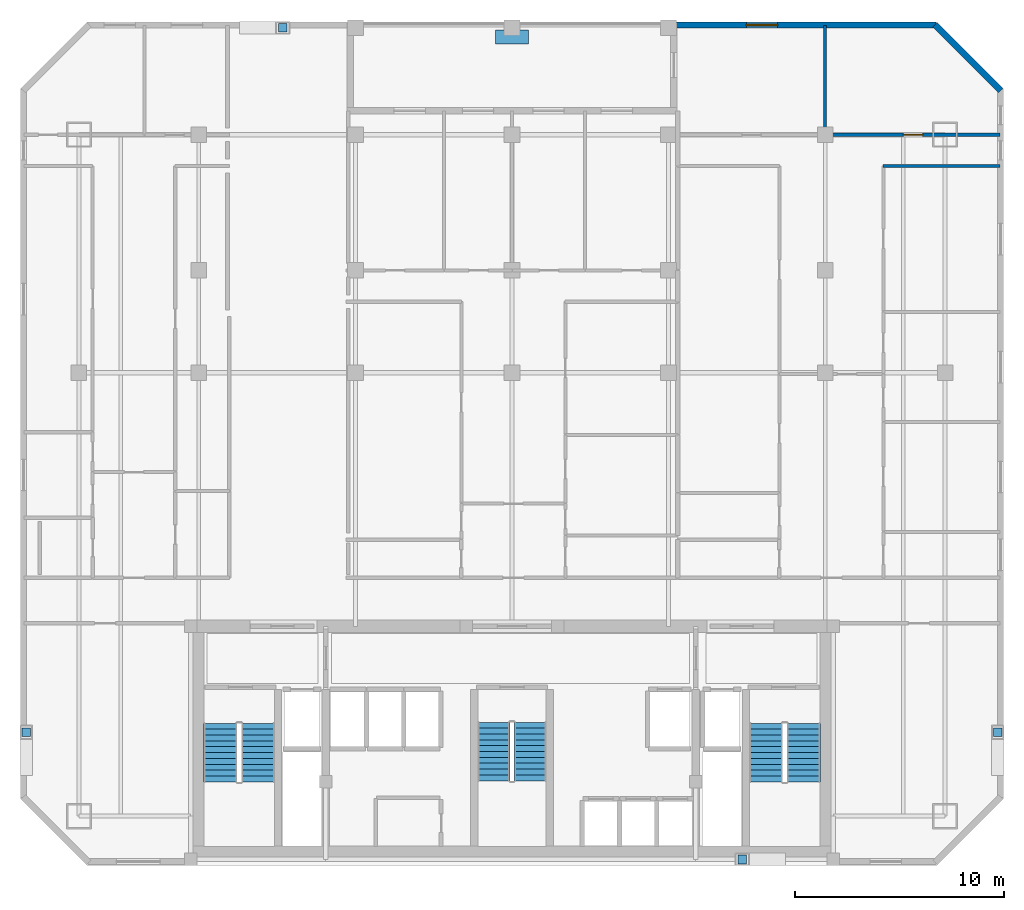
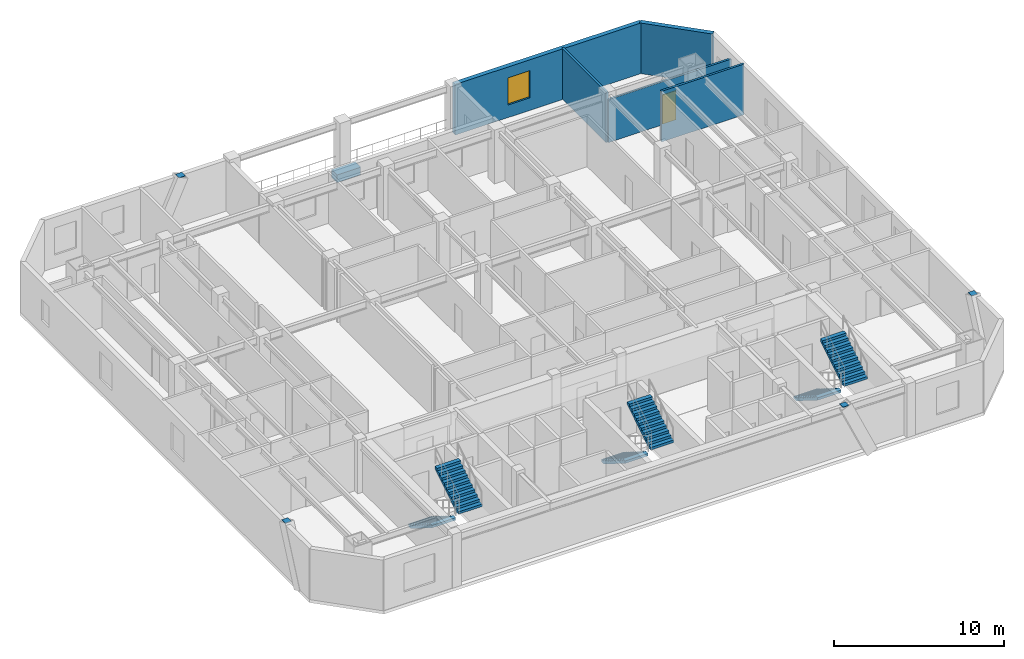
# One storey, part 7 of 8: 6 stair flights, 5 discrete accessories, 5 walls, 1 door, 1 window, 2 openings, 3 elements without a shape of their own.
"""IFC4 building model written with IfcOpenShell, lengths in metres."""

import ifcopenshell
import ifcopenshell.guid

model = None  # the IFC model being written
_history = None  # IfcOwnerHistory: only IFC2X3 demands one
_inside = {}  # id of a spatial element -> (the spatial element, [elements in it])
_under = {}  # id of a project, library or spatial element -> (it, [spatial elements below it])
_declared = {}  # id of a project -> (the project, [libraries it declares])
_typed = {}  # id of a type object -> (the type object, [elements of that type])
_made_of = {}  # id of a material, layer set ... -> (it, [elements and type objects made of it])


def new_model(schema):
    """Start an empty IFC model of exactly this schema.

    Asked for "IFC4X3", IfcOpenShell would pick the latest addendum, in which some entities
    have other attributes; the version numbers below select the first issue.
    IFC2X3 requires an IfcOwnerHistory on every rooted entity: one is made here for all.
    """
    global model, _history
    if schema == "IFC4X3":
        model = ifcopenshell.file(schema_version=(4, 3, 0, 0))
    else:
        model = ifcopenshell.file(schema=schema)
    _inside.clear()
    _under.clear()
    _declared.clear()
    _typed.clear()
    _made_of.clear()
    _history = None
    if model.schema == "IFC2X3":
        org = make("IfcOrganization", Name="unknown")
        user = make(
            "IfcPersonAndOrganization",
            ThePerson=make("IfcPerson", FamilyName="unknown"),
            TheOrganization=org,
        )
        app = make(
            "IfcApplication",
            ApplicationDeveloper=org,
            Version="unknown",
            ApplicationFullName="unknown",
            ApplicationIdentifier="unknown",
        )
        _history = make(
            "IfcOwnerHistory",
            OwningUser=user,
            OwningApplication=app,
            ChangeAction="ADDED",
            CreationDate=0,
        )
    return model


def make(cls, **values):
    """One entity of the class cls with the attributes given. An attribute that is None is left unset."""
    return model.create_entity(
        cls, **{name: value for name, value in values.items() if value is not None}
    )


def rooted(cls, **values):
    """An entity with a GlobalId (a new one), such as an element, a storey or a relation."""
    return make(cls, GlobalId=ifcopenshell.guid.new(), OwnerHistory=_history, **values)


def si_unit(unit_type, name, prefix=None):
    """IfcSIUnit, for example si_unit("LENGTHUNIT", "METRE", prefix="MILLI")."""
    return make("IfcSIUnit", UnitType=unit_type, Prefix=prefix, Name=name)


def assignment(units):
    """IfcUnitAssignment: the units of a project."""
    return None if units is None else make("IfcUnitAssignment", Units=units)


def point(xyz):
    """IfcCartesianPoint."""
    return None if xyz is None else make("IfcCartesianPoint", Coordinates=xyz)


def direction(xyz):
    """IfcDirection."""
    return None if xyz is None else make("IfcDirection", DirectionRatios=xyz)


def frame(location, z_axis=None, x_axis=None):
    """IfcAxis2Placement3D, a coordinate frame: its origin and axes. An axis left out is left unset."""
    return make(
        "IfcAxis2Placement3D",
        Location=point(location),
        Axis=direction(z_axis),
        RefDirection=direction(x_axis),
    )


def frame_2d(location, x_axis=None):
    """IfcAxis2Placement2D, a coordinate frame in the plane: its origin and x axis."""
    return make(
        "IfcAxis2Placement2D", Location=point(location), RefDirection=direction(x_axis)
    )


def origin():
    """The frame at (0, 0, 0) with its axes left unset."""
    return frame((0.0, 0.0, 0.0))


def origin_2d():
    """The frame at (0, 0) in the plane with its x axis left unset."""
    return frame_2d((0.0, 0.0))


def place(relative_to, where):
    """IfcLocalPlacement: puts the frame where relative to a parent placement (None: the world)."""
    return make(
        "IfcLocalPlacement", PlacementRelTo=relative_to, RelativePlacement=where
    )


def context(
    kind, dimensions, precision=None, world=None, true_north=None, identifier=None
):
    """IfcGeometricRepresentationContext, for example the 3D "Model" context."""
    return make(
        "IfcGeometricRepresentationContext",
        ContextIdentifier=identifier,
        ContextType=kind,
        CoordinateSpaceDimension=dimensions,
        Precision=precision,
        WorldCoordinateSystem=world,
        TrueNorth=true_north,
    )


def subcontext(parent, identifier, kind, view, scale=None):
    """IfcGeometricRepresentationSubContext, for example "Body" below "Model"."""
    return make(
        "IfcGeometricRepresentationSubContext",
        ContextIdentifier=identifier,
        ContextType=kind,
        ParentContext=parent,
        TargetScale=scale,
        TargetView=view,
    )


def project(units=None, contexts=None):
    """IfcProject with its units and contexts."""
    return rooted(
        "IfcProject",
        Name="project",
        RepresentationContexts=contexts,
        UnitsInContext=assignment(units),
    )


def spatial(cls, under=None, at=None, **own):
    """A site, building, storey or space (cls), placed at a placement, below another one or the project."""
    s = rooted(cls, ObjectPlacement=at, **own)
    if under is not None:
        _under.setdefault(under.id(), (under, []))[1].append(s)
    return s


def polyline(points):
    """IfcPolyline through the points."""
    return make("IfcPolyline", Points=[point(p) for p in points])


def profile(cls, at=None, kind="AREA", **sizes):
    """A parametric profile (cls). Its sizes go by their IFC names, for example OverallWidth=200.0."""
    return make(cls, ProfileType=kind, Position=at, **sizes)


def rectangle(**sizes):
    """IfcRectangleProfileDef."""
    return profile("IfcRectangleProfileDef", **sizes)


def outline(outer, holes=None, kind="AREA"):
    """IfcArbitraryClosedProfileDef: a profile drawn as a closed curve; with holes, ...WithVoids."""
    if holes is None:
        return make("IfcArbitraryClosedProfileDef", ProfileType=kind, OuterCurve=outer)
    return make(
        "IfcArbitraryProfileDefWithVoids",
        ProfileType=kind,
        OuterCurve=outer,
        InnerCurves=holes,
    )


def extrude(swept, where, along, depth):
    """IfcExtrudedAreaSolid: the profile swept, set in the frame where, extruded along a direction by depth."""
    return make(
        "IfcExtrudedAreaSolid",
        SweptArea=swept,
        Position=where,
        ExtrudedDirection=direction(along),
        Depth=depth,
    )


def shape(context_of_items, identifier, shape_type, items):
    """IfcShapeRepresentation: the items that make up one representation, for example the "Body"."""
    return make(
        "IfcShapeRepresentation",
        ContextOfItems=context_of_items,
        RepresentationIdentifier=identifier,
        RepresentationType=shape_type,
        Items=items,
    )


def material(Name=None, Category=None):
    """IfcMaterial."""
    return make("IfcMaterial", Name=Name, Category=Category)


def layer(
    of_material, thickness, ventilated=None, Name=None, Category=None, Priority=None
):
    """IfcMaterialLayer: one layer of a wall or slab, of a material (None: an air gap)."""
    return make(
        "IfcMaterialLayer",
        Material=of_material,
        LayerThickness=thickness,
        IsVentilated=ventilated,
        Name=Name,
        Category=Category,
        Priority=Priority,
    )


def layer_set(layers, Name=None):
    """IfcMaterialLayerSet."""
    return make("IfcMaterialLayerSet", MaterialLayers=layers, LayerSetName=Name)


def made_of(thing, what):
    """Note that an element or type object is made of a material, layer set ...; save() writes the relation."""
    if what is not None:
        _made_of.setdefault(what.id(), (what, []))[1].append(thing)
    return thing


def type_object(cls, material=None, **own):
    """A type object (cls), such as IfcWallType, which elements share."""
    return made_of(rooted(cls, **own), material)


def element(
    cls,
    number,
    at=None,
    inside=None,
    cuts=None,
    type_object=None,
    material=None,
    context=None,
    identifier="Body",
    shape_type=None,
    held_by="IfcProductDefinitionShape",
    body=None,
    shapes=None,
    **own,
):
    """One element of the class cls, such as IfcWall. Its Tag is "e" and its number.

    at: its placement. inside: the storey or other place that contains it. cuts: it is an
    opening in that element (IfcRelVoidsElement). A single representation is given by context,
    identifier, shape_type and body (its items); several are given by shapes. held_by: the class
    of the entity that holds the representations. save() writes the other relations.
    """
    e = rooted(cls, Tag="e%d" % number, ObjectPlacement=at, **own)
    if body is not None:
        shapes = [shape(context, identifier, shape_type, body)]
    if shapes is not None:
        e.Representation = make(held_by, Representations=shapes)
    if inside is not None:
        _inside.setdefault(inside.id(), (inside, []))[1].append(e)
    if cuts is not None:
        rooted(
            "IfcRelVoidsElement", RelatingBuildingElement=cuts, RelatedOpeningElement=e
        )
    if type_object is not None:
        _typed.setdefault(type_object.id(), (type_object, []))[1].append(e)
    return made_of(e, material)


def fill(opening, filler):
    """IfcRelFillsElement: the door or window that sits in an opening."""
    return rooted(
        "IfcRelFillsElement",
        RelatingOpeningElement=opening,
        RelatedBuildingElement=filler,
    )


def aggregate(whole, parts):
    """IfcRelAggregates: a whole, such as a stair, and the parts it consists of."""
    return rooted("IfcRelAggregates", RelatingObject=whole, RelatedObjects=parts)


def save(model, path):
    """Write the relations noted so far, then the file.

    IfcRelAggregates (storeys below a building ...), IfcRelContainedInSpatialStructure (elements
    in a storey), IfcRelDefinesByType, IfcRelAssociatesMaterial and IfcRelDeclares: one each for
    every whole, place, type object, material and project.
    """
    for whole, parts in _under.values():
        aggregate(whole, parts)
    for where, things in _inside.values():
        rooted(
            "IfcRelContainedInSpatialStructure",
            RelatedElements=things,
            RelatingStructure=where,
        )
    for kind, things in _typed.values():
        rooted("IfcRelDefinesByType", RelatedObjects=things, RelatingType=kind)
    for what, things in _made_of.values():
        rooted("IfcRelAssociatesMaterial", RelatedObjects=things, RelatingMaterial=what)
    for by, libraries in _declared.values():
        rooted("IfcRelDeclares", RelatingContext=by, RelatedDefinitions=libraries)
    model.write(path)


model = new_model("IFC4")

# Units and contexts
model_context = context("Model", 3, precision=1e-05, world=origin(), true_north=direction((0.0, 1.0)))
body_context = subcontext(model_context, "Body", "Model", "MODEL_VIEW")
ifc_project = project(units=[si_unit("LENGTHUNIT", "METRE"), si_unit("AREAUNIT", "SQUARE_METRE"), si_unit("VOLUMEUNIT", "CUBIC_METRE"), si_unit("PLANEANGLEUNIT", "RADIAN"), si_unit("MASSUNIT", "GRAM", prefix="KILO")], contexts=[model_context])

# Site, building, storey
site_placement = place(None, origin())
site = spatial("IfcSite", under=ifc_project, at=site_placement, CompositionType="ELEMENT")
building_placement = place(site_placement, origin())
building = spatial("IfcBuilding", under=site, at=building_placement, Name="Ventersveld Concourse Tower", CompositionType="ELEMENT")
storey_placement = place(building_placement, frame((0.0, 0.0, 192.60009765625)))
storey = spatial("IfcBuildingStorey", under=building, at=storey_placement, Name="L47", CompositionType="ELEMENT", Elevation=192.60009765625)

# Wall
ifc_material_1 = material(Name="Autoclaved aerated masonry blockwork", Category="masonry")
ifc_layer_1 = layer(ifc_material_1, 0.14990234375)
ifc_layer_set_1 = layer_set([ifc_layer_1], Name="Autoclaved aerated masonry blockwork")
wall_type_1 = type_object("IfcWallType", Name="WL-INT-150", PredefinedType="PARTITIONING", material=ifc_layer_set_1)
wall_1_placement = place(storey_placement, frame((46.53466796875, 33.5, 0.0), z_axis=(0.0, 0.0, 1.0), x_axis=(1.0, 0.0, 0.0)))
element("IfcWall", 1, at=wall_1_placement, inside=storey, type_object=wall_type_1, Name="L47 Interior Partition SP-L47-47CE-LIV-SP-L47-47CE-DENS2", PredefinedType="PARTITIONING", context=body_context, shape_type="SweptSolid", body=[
    extrude(rectangle(XDim=5.5927734375, YDim=0.14990234375, at=frame_2d((2.79638671875, 0.0))), origin(), (0.0, 0.0, 1.0), 3.6298828125),
])

# Wall, opening, door
wall_2_placement = place(storey_placement, frame((43.784912109375, 35.0, 0.0), z_axis=(0.0, 0.0, 1.0), x_axis=(1.0, 0.0, 0.0)))
wall_2 = element("IfcWall", 2, at=wall_2_placement, inside=storey, type_object=wall_type_1, Name="L47 Interior Partition SP-L47-47CE-LIV-SP-L47-47CE-BR2", PredefinedType="PARTITIONING", context=body_context, shape_type="SweptSolid", body=[
    extrude(rectangle(XDim=8.342529296875, YDim=0.14990234375, at=frame_2d((4.17138671875, 0.0))), origin(), (0.0, 0.0, 1.0), 3.08544921875),
])
opening_1_placement = place(wall_2_placement, frame((3.711181640625, 0.0, 0.0)))
opening_1 = element("IfcOpeningElement", 3, at=opening_1_placement, cuts=wall_2, Name="Opening ID1", PredefinedType="OPENING", context=body_context, shape_type="SweptSolid", body=[
    extrude(rectangle(XDim=0.919921875, YDim=2.10009765625, at=frame_2d((0.4599609375, 1.050048828125))), frame((0.0, 0.0849609375, 0.0), z_axis=(0.0, -1.0, 0.0), x_axis=(1.0, 0.0, 0.0)), (0.0, 0.0, 1.0), 0.169921875),
])
ifc_material_2 = material(Name="Solid-core hardwood veneer timber", Category="wood")
door_type = type_object("IfcDoorType", Name="DR-ROOM-092", OperationType="NOTDEFINED", PredefinedType="DOOR", material=ifc_material_2)
door_placement = place(opening_1_placement, origin())
door = element("IfcDoor", 4, at=door_placement, inside=storey, type_object=door_type, Name="L47 Interior Door SP-L47-47CE-LIV to SP-L47-47CE-BR2 (D-L47-2321)", OperationType="SINGLE_SWING_LEFT", OverallHeight=2.10009765625, OverallWidth=0.919921875, PredefinedType="DOOR", context=body_context, shape_type="SweptSolid", body=[
    extrude(rectangle(XDim=0.919921875, YDim=2.10009765625, at=frame_2d((0.4599609375, 1.050048828125))), frame((0.0, 0.02490234375, 0.0), z_axis=(0.0, -1.0, 0.0), x_axis=(1.0, 0.0, 0.0)), (0.0, 0.0, 1.0), 0.050048828125),
])
fill(opening_1, door)

# Walls
wall_3_placement = place(storey_placement, frame((43.75, 34.9951171875, 0.0), z_axis=(0.0, 0.0, 1.0), x_axis=(0.0, 1.0, 0.0)))
element("IfcWall", 5, at=wall_3_placement, inside=storey, type_object=wall_type_1, Name="L47 Interior Partition SP-L47-47CE-BR1-SP-L47-47CE-BR2", PredefinedType="PARTITIONING", context=body_context, shape_type="SweptSolid", body=[
    extrude(rectangle(XDim=5.232421875, YDim=0.14990234375, at=frame_2d((2.6162109375, 0.0))), origin(), (0.0, 0.0, 1.0), 3.6298828125),
])
ifc_material_3 = material(Name="Precast concrete C45/55", Category="concrete")
ifc_layer_2 = layer(ifc_material_3, 0.300048828125)
ifc_layer_set_2 = layer_set([ifc_layer_2], Name="Precast concrete C45/55")
wall_type_2 = type_object("IfcWallType", Name="WL-PREC-300", PredefinedType="SOLIDWALL", material=ifc_layer_set_2)
wall_4_placement = place(storey_placement, frame((52.16552734375, 37.122314453125, 0.0), z_axis=(0.0, 0.0, 1.0), x_axis=(-0.707106781187, 0.707106781187, 0.0)))
element("IfcWall", 6, at=wall_4_placement, inside=storey, type_object=wall_type_2, Name="L47 Highveld Precast Facade Wall E04", PredefinedType="SOLIDWALL", context=body_context, shape_type="SweptSolid", body=[
    extrude(rectangle(XDim=4.4453125, YDim=0.300048828125, at=frame_2d((2.22265625, 0.0))), origin(), (0.0, 0.0, 1.0), 3.6298828125),
])

# Wall, opening, window
wall_5_placement = place(storey_placement, frame((49.06005859375, 40.25, 0.0), z_axis=(0.0, 0.0, 1.0), x_axis=(-1.0, 0.0, 0.0)))
wall_5 = element("IfcWall", 7, at=wall_5_placement, inside=storey, type_object=wall_type_2, Name="L47 Highveld Precast Facade Wall E05", PredefinedType="SOLIDWALL", context=body_context, shape_type="SweptSolid", body=[
    extrude(rectangle(XDim=12.670166015625, YDim=0.300048828125, at=frame_2d((6.3349609375, 0.0))), origin(), (0.0, 0.0, 1.0), 3.6298828125),
])
opening_2_placement = place(wall_5_placement, frame((7.583740234375, 0.0, 0.89990234375)))
opening_2 = element("IfcOpeningElement", 8, at=opening_2_placement, cuts=wall_5, Name="Opening W1", PredefinedType="OPENING", context=body_context, shape_type="SweptSolid", body=[
    extrude(rectangle(XDim=1.5, YDim=1.949951171875, at=frame_2d((0.75, 0.97509765625))), frame((0.0, 0.16015625, 0.0), z_axis=(0.0, -1.0, 0.0), x_axis=(1.0, 0.0, 0.0)), (0.0, 0.0, 1.0), 0.320068359375),
])
ifc_material_4 = material(Name="Tempered acoustic Low-E IGU", Category="glass")
window_type = type_object("IfcWindowType", Name="WIN-150x210", PartitioningType="SINGLE_PANEL", PredefinedType="WINDOW", material=ifc_material_4)
window_placement = place(opening_2_placement, origin())
window = element("IfcWindow", 9, at=window_placement, inside=storey, type_object=window_type, Name="L47 Punched Low-E Window W-0663", OverallHeight=1.949951171875, OverallWidth=1.5, PartitioningType="SINGLE_PANEL", PredefinedType="WINDOW", context=body_context, shape_type="SweptSolid", body=[
    extrude(rectangle(XDim=1.5, YDim=1.949951171875, at=frame_2d((0.75, 0.97509765625))), frame((0.0, 0.030029296875, 0.0), z_axis=(0.0, -1.0, 0.0), x_axis=(1.0, 0.0, 0.0)), (0.0, 0.0, 1.0), 0.06005859375),
])
fill(opening_2, window)

# Stair, stair flights
ifc_material_5 = material(Name="Concrete C50/60", Category="concrete")
stair_type_1 = type_object("IfcStairType", Name="ST-DOG-155", PredefinedType="HALF_TURN_STAIR", material=ifc_material_5)
stair_1_placement = place(storey_placement, origin())
stair_1 = element("IfcStair", 10, at=stair_1_placement, inside=storey, type_object=stair_type_1, Name="L47 Protected Central Core Escape Stair ST-03", PredefinedType="HALF_TURN_STAIR")
stair_flight_type_1 = type_object("IfcStairFlightType", Name="STF-RC-155", PredefinedType="STRAIGHT", material=ifc_material_5)
stair_flight_1_placement = place(storey_placement, frame((27.875, 6.85009765625, 0.0), z_axis=(0.0, 0.0, 1.0), x_axis=(0.0, -1.0, 0.0)))
stair_flight_1 = element("IfcStairFlight", 11, at=stair_flight_1_placement, type_object=stair_flight_type_1, Name="ST-03 flight 1", NumberOfRisers=11, NumberOfTreads=10, PredefinedType="STRAIGHT", RiserHeight=0.175, TreadLength=0.28, context=body_context, shape_type="SweptSolid", body=[
    extrude(outline(polyline([(0.0, 0.0), (0.0, 0.175048828125), (0.280029296875, 0.175048828125), (0.280029296875, 0.35009765625), (0.56005859375, 0.35009765625), (0.56005859375, 0.52490234375), (0.840087890625, 0.52490234375), (0.840087890625, 0.699951171875), (1.1201171875, 0.699951171875), (1.1201171875, 0.875), (1.39990234375, 0.875), (1.39990234375, 1.050048828125), (1.679931640625, 1.050048828125), (1.679931640625, 1.22509765625), (1.9599609375, 1.22509765625), (1.9599609375, 1.39990234375), (2.239990234375, 1.39990234375), (2.239990234375, 1.574951171875), (2.52001953125, 1.574951171875), (2.52001953125, 1.75), (2.800048828125, 1.75), (2.800048828125, 1.925048828125), (2.800048828125, 1.5732421875), (0.28271484375, 0.0), (0.0, 0.0)])), frame((0.0, 0.77490234375, 0.0), z_axis=(0.0, -1.0, 0.0), x_axis=(1.0, 0.0, 0.0)), (0.0, 0.0, 1.0), 1.550048828125),
])
stair_flight_2_placement = place(storey_placement, frame((29.625, 4.050048828125, 1.9248046875), z_axis=(0.0, 0.0, 1.0), x_axis=(0.0, 1.0, 0.0)))
stair_flight_2 = element("IfcStairFlight", 12, at=stair_flight_2_placement, type_object=stair_flight_type_1, Name="ST-03 flight 2", NumberOfRisers=11, NumberOfTreads=10, PredefinedType="STRAIGHT", RiserHeight=0.175, TreadLength=0.28, context=body_context, shape_type="SweptSolid", body=[
    extrude(outline(polyline([(0.0, 0.0), (0.0, 0.175048828125), (0.280029296875, 0.175048828125), (0.280029296875, 0.35009765625), (0.56005859375, 0.35009765625), (0.56005859375, 0.52490234375), (0.840087890625, 0.52490234375), (0.840087890625, 0.699951171875), (1.1201171875, 0.699951171875), (1.1201171875, 0.875), (1.39990234375, 0.875), (1.39990234375, 1.050048828125), (1.679931640625, 1.050048828125), (1.679931640625, 1.22509765625), (1.9599609375, 1.22509765625), (1.9599609375, 1.39990234375), (2.239990234375, 1.39990234375), (2.239990234375, 1.574951171875), (2.52001953125, 1.574951171875), (2.52001953125, 1.75), (2.800048828125, 1.75), (2.800048828125, 1.925048828125), (2.800048828125, 1.5732421875), (0.28271484375, 0.0), (0.0, 0.0)])), frame((0.0, 0.77490234375, 0.0), z_axis=(0.0, -1.0, 0.0), x_axis=(1.0, 0.0, 0.0)), (0.0, 0.0, 1.0), 1.550048828125),
])
aggregate(stair_1, [stair_flight_1, stair_flight_2])

stair_type_2 = type_object("IfcStairType", Name="ST-DOG-160", PredefinedType="HALF_TURN_STAIR", material=ifc_material_5)
stair_2_placement = place(storey_placement, origin())
stair_2 = element("IfcStair", 13, at=stair_2_placement, inside=storey, type_object=stair_type_2, Name="L47 Protected Tower Escape Stair ST-01", PredefinedType="HALF_TURN_STAIR")
stair_flight_type_2 = type_object("IfcStairFlightType", Name="STF-RC-160", PredefinedType="STRAIGHT", material=ifc_material_5)
stair_flight_3_placement = place(storey_placement, frame((14.780029296875, 6.800048828125, 0.0), z_axis=(0.0, 0.0, 1.0), x_axis=(0.0, -1.0, 0.0)))
stair_flight_3 = element("IfcStairFlight", 14, at=stair_flight_3_placement, type_object=stair_flight_type_2, Name="ST-01 flight 1", NumberOfRisers=11, NumberOfTreads=10, PredefinedType="STRAIGHT", RiserHeight=0.175, TreadLength=0.28, context=body_context, shape_type="SweptSolid", body=[
    extrude(outline(polyline([(0.0, 0.0), (0.0, 0.175048828125), (0.280029296875, 0.175048828125), (0.280029296875, 0.35009765625), (0.56005859375, 0.35009765625), (0.56005859375, 0.52490234375), (0.840087890625, 0.52490234375), (0.840087890625, 0.699951171875), (1.1201171875, 0.699951171875), (1.1201171875, 0.875), (1.39990234375, 0.875), (1.39990234375, 1.050048828125), (1.679931640625, 1.050048828125), (1.679931640625, 1.22509765625), (1.9599609375, 1.22509765625), (1.9599609375, 1.39990234375), (2.239990234375, 1.39990234375), (2.239990234375, 1.574951171875), (2.52001953125, 1.574951171875), (2.52001953125, 1.75), (2.800048828125, 1.75), (2.800048828125, 1.925048828125), (2.800048828125, 1.5732421875), (0.28271484375, 0.0), (0.0, 0.0)])), frame((0.0, 0.800048828125, 0.0), z_axis=(0.0, -1.0, 0.0), x_axis=(1.0, 0.0, 0.0)), (0.0, 0.0, 1.0), 1.60009765625),
])
stair_flight_4_placement = place(storey_placement, frame((16.580078125, 4.0, 1.9248046875), z_axis=(0.0, 0.0, 1.0), x_axis=(0.0, 1.0, 0.0)))
stair_flight_4 = element("IfcStairFlight", 15, at=stair_flight_4_placement, type_object=stair_flight_type_2, Name="ST-01 flight 2", NumberOfRisers=11, NumberOfTreads=10, PredefinedType="STRAIGHT", RiserHeight=0.175, TreadLength=0.28, context=body_context, shape_type="SweptSolid", body=[
    extrude(outline(polyline([(0.0, 0.0), (0.0, 0.175048828125), (0.280029296875, 0.175048828125), (0.280029296875, 0.35009765625), (0.56005859375, 0.35009765625), (0.56005859375, 0.52490234375), (0.840087890625, 0.52490234375), (0.840087890625, 0.699951171875), (1.1201171875, 0.699951171875), (1.1201171875, 0.875), (1.39990234375, 0.875), (1.39990234375, 1.050048828125), (1.679931640625, 1.050048828125), (1.679931640625, 1.22509765625), (1.9599609375, 1.22509765625), (1.9599609375, 1.39990234375), (2.239990234375, 1.39990234375), (2.239990234375, 1.574951171875), (2.52001953125, 1.574951171875), (2.52001953125, 1.75), (2.800048828125, 1.75), (2.800048828125, 1.925048828125), (2.800048828125, 1.5732421875), (0.28271484375, 0.0), (0.0, 0.0)])), frame((0.0, 0.800048828125, 0.0), z_axis=(0.0, -1.0, 0.0), x_axis=(1.0, 0.0, 0.0)), (0.0, 0.0, 1.0), 1.60009765625),
])
aggregate(stair_2, [stair_flight_3, stair_flight_4])

stair_3_placement = place(storey_placement, origin())
stair_3 = element("IfcStair", 16, at=stair_3_placement, inside=storey, type_object=stair_type_2, Name="L47 Protected Tower Escape Stair ST-02", PredefinedType="HALF_TURN_STAIR")
stair_flight_5_placement = place(storey_placement, frame((40.919921875, 6.800048828125, 0.0), z_axis=(0.0, 0.0, 1.0), x_axis=(0.0, -1.0, 0.0)))
stair_flight_5 = element("IfcStairFlight", 17, at=stair_flight_5_placement, type_object=stair_flight_type_2, Name="ST-02 flight 1", NumberOfRisers=11, NumberOfTreads=10, PredefinedType="STRAIGHT", RiserHeight=0.175, TreadLength=0.28, context=body_context, shape_type="SweptSolid", body=[
    extrude(outline(polyline([(0.0, 0.0), (0.0, 0.175048828125), (0.280029296875, 0.175048828125), (0.280029296875, 0.35009765625), (0.56005859375, 0.35009765625), (0.56005859375, 0.52490234375), (0.840087890625, 0.52490234375), (0.840087890625, 0.699951171875), (1.1201171875, 0.699951171875), (1.1201171875, 0.875), (1.39990234375, 0.875), (1.39990234375, 1.050048828125), (1.679931640625, 1.050048828125), (1.679931640625, 1.22509765625), (1.9599609375, 1.22509765625), (1.9599609375, 1.39990234375), (2.239990234375, 1.39990234375), (2.239990234375, 1.574951171875), (2.52001953125, 1.574951171875), (2.52001953125, 1.75), (2.800048828125, 1.75), (2.800048828125, 1.925048828125), (2.800048828125, 1.5732421875), (0.28271484375, 0.0), (0.0, 0.0)])), frame((0.0, 0.800048828125, 0.0), z_axis=(0.0, -1.0, 0.0), x_axis=(1.0, 0.0, 0.0)), (0.0, 0.0, 1.0), 1.60009765625),
])
stair_flight_6_placement = place(storey_placement, frame((42.719970703125, 4.0, 1.9248046875), z_axis=(0.0, 0.0, 1.0), x_axis=(0.0, 1.0, 0.0)))
stair_flight_6 = element("IfcStairFlight", 18, at=stair_flight_6_placement, type_object=stair_flight_type_2, Name="ST-02 flight 2", NumberOfRisers=11, NumberOfTreads=10, PredefinedType="STRAIGHT", RiserHeight=0.175, TreadLength=0.28, context=body_context, shape_type="SweptSolid", body=[
    extrude(outline(polyline([(0.0, 0.0), (0.0, 0.175048828125), (0.280029296875, 0.175048828125), (0.280029296875, 0.35009765625), (0.56005859375, 0.35009765625), (0.56005859375, 0.52490234375), (0.840087890625, 0.52490234375), (0.840087890625, 0.699951171875), (1.1201171875, 0.699951171875), (1.1201171875, 0.875), (1.39990234375, 0.875), (1.39990234375, 1.050048828125), (1.679931640625, 1.050048828125), (1.679931640625, 1.22509765625), (1.9599609375, 1.22509765625), (1.9599609375, 1.39990234375), (2.239990234375, 1.39990234375), (2.239990234375, 1.574951171875), (2.52001953125, 1.574951171875), (2.52001953125, 1.75), (2.800048828125, 1.75), (2.800048828125, 1.925048828125), (2.800048828125, 1.5732421875), (0.28271484375, 0.0), (0.0, 0.0)])), frame((0.0, 0.800048828125, 0.0), z_axis=(0.0, -1.0, 0.0), x_axis=(1.0, 0.0, 0.0)), (0.0, 0.0, 1.0), 1.60009765625),
])
aggregate(stair_3, [stair_flight_5, stair_flight_6])

# Discrete accessories
ifc_material_6 = material(Name="Structural steel S355J2", Category="steel")
discrete_accessory_type_1 = type_object("IfcDiscreteAccessoryType", Name="CONN-BRACE-ECP1", PredefinedType="BRACKET", material=ifc_material_6)
for number, where, z_axis, x_axis, name in (
    (19, (17.77099609375, 40.1201171875, 3.60986328125), (0.0, 0.0, 1.0), (1.0, 0.0, 0.0), "L47 Steel Brace End Connection Plate ECP1-0369"),
    (20, (39.77880859375, 0.280029296875, 3.60986328125), (0.0, 0.0, 1.0), (1.0, 0.0, 0.0), "L47 Steel Brace End Connection Plate ECP1-0373"),
    (21, (5.47998046875, 6.37109375, 3.60986328125), (0.0, 0.0, 1.0), (1.0, 0.0, 0.0), "L47 Steel Brace End Connection Plate ECP1-0377"),
    (22, (52.02001953125, 6.37109375, 3.60986328125), (0.0, 0.0, 1.0), (1.0, 0.0, 0.0), "L47 Steel Brace End Connection Plate ECP1-0381"),
):
    element("IfcDiscreteAccessory", number, at=place(storey_placement, frame(where, z_axis=z_axis, x_axis=x_axis)), inside=storey, type_object=discrete_accessory_type_1, Name=name, PredefinedType="BRACKET", context=body_context, shape_type="SweptSolid", body=[
        extrude(rectangle(XDim=0.419921875, YDim=0.419921875, at=origin_2d()), origin(), (0.0, 0.0, 1.0), 0.0400390625),
    ])
discrete_accessory_type_2 = type_object("IfcDiscreteAccessoryType", Name="PLN-TERR-180", PredefinedType="USERDEFINED", material=ifc_material_3)
discrete_accessory_placement = place(storey_placement, frame((28.75, 39.679931640625, 0.0), z_axis=(0.0, 0.0, 1.0), x_axis=(1.0, 0.0, 0.0)))
element("IfcDiscreteAccessory", 23, at=discrete_accessory_placement, inside=storey, type_object=discrete_accessory_type_2, Name="L47 Planted Precast Terrace Planter Box NOTCH-N", ObjectType="PLANTER", PredefinedType="USERDEFINED", context=body_context, shape_type="SweptSolid", body=[
    extrude(rectangle(XDim=1.60009765625, YDim=0.64990234375, at=origin_2d()), origin(), (0.0, 0.0, 1.0), 0.550048828125),
])

save(model, "model.ifc")
